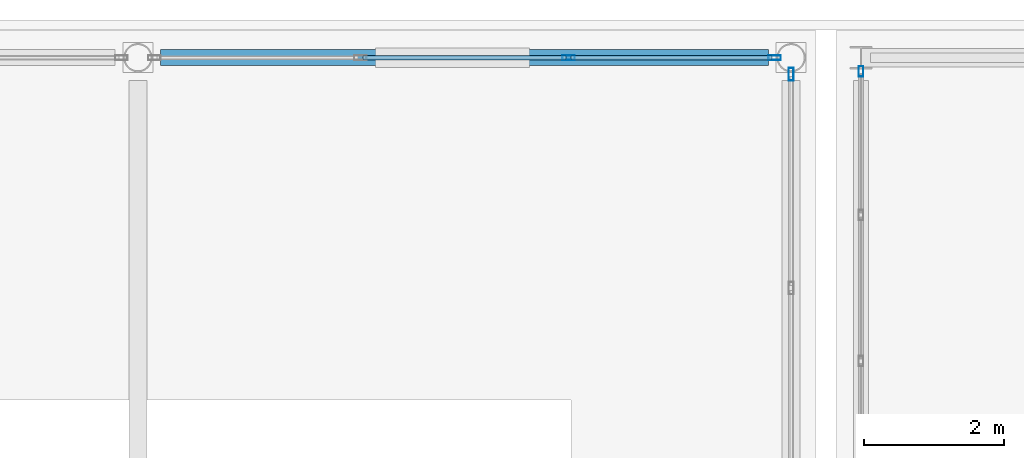
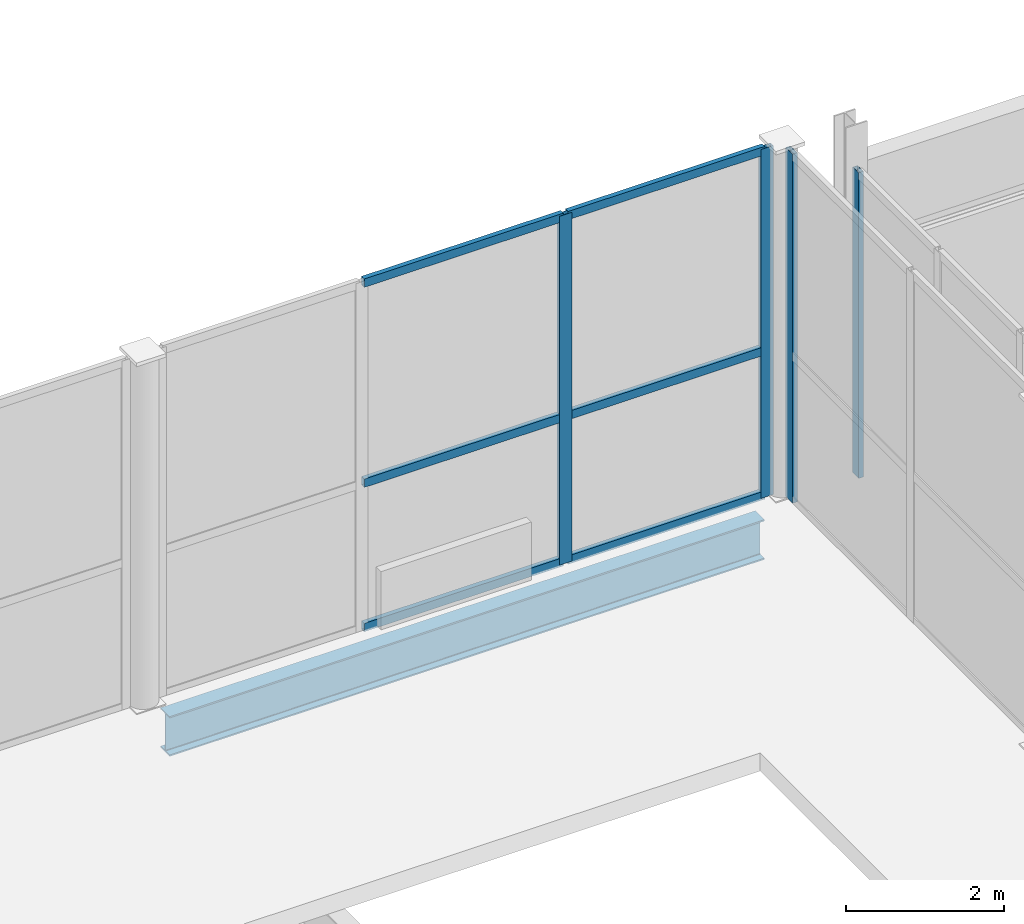
# One storey, part 54 of 83: 10 members, 1 beam, 3 elements without a shape of their own.
"""IFC4 building model written with IfcOpenShell, lengths in metres."""

from ifc_helpers import new_model, si_unit, direction, frame, origin, origin_2d, place, context, subcontext, project, spatial, hollow_rectangle, i_section, extrude, material, layer, layer_set, material_profile, profile_set, type_object, element, aggregate, save


model = new_model("IFC4")

# Units and contexts
model_context = context("Model", 3, precision=1e-05, world=origin(), true_north=direction((0.0, 1.0)))
body_context = subcontext(model_context, "Body", "Model", "MODEL_VIEW")
ifc_project = project(units=[si_unit("LENGTHUNIT", "METRE"), si_unit("AREAUNIT", "SQUARE_METRE"), si_unit("VOLUMEUNIT", "CUBIC_METRE"), si_unit("PLANEANGLEUNIT", "RADIAN"), si_unit("MASSUNIT", "GRAM", prefix="KILO")], contexts=[model_context])

# Site, building, storey
site_placement = place(None, origin())
site = spatial("IfcSite", under=ifc_project, at=site_placement, CompositionType="ELEMENT")
building_placement = place(site_placement, origin())
building = spatial("IfcBuilding", under=site, at=building_placement, Name="Quillay Park Conservatory", CompositionType="ELEMENT")
storey_placement = place(building_placement, origin())
storey = spatial("IfcBuildingStorey", under=building, at=storey_placement, Name="L00", CompositionType="ELEMENT", Elevation=0.0)

# Curtain wall, member
ifc_material_1 = material(Name="Thermally Broken Anodised Aluminium 6063-T6", Category="aluminium")
ifc_layer_1 = layer(ifc_material_1, 0.1650390625)
ifc_layer_set_1 = layer_set([ifc_layer_1], Name="UNITISED CURTAIN WALL PODIUM (Thermally Broken Anodised Aluminium 6063-T6)")
curtain_wall_type_1 = type_object("IfcCurtainWallType", Name="UNITISED CURTAIN WALL PODIUM", PredefinedType="USERDEFINED", material=ifc_layer_set_1)
curtain_wall_1_placement = place(storey_placement, origin())
curtain_wall_1 = element("IfcCurtainWall", 1, at=curtain_wall_1_placement, inside=storey, type_object=curtain_wall_type_1, Name="L00 Unitised Curtain Wall 227", ObjectType="UNITISED CURTAIN WALL", PredefinedType="USERDEFINED")
ifc_material_2 = material(Name="Thermally Broken Anodised Aluminium 6063-T6", Category="aluminium")
ifc_material_profile_1 = material_profile(ifc_material_2, hollow_rectangle(XDim=0.070068359375, YDim=0.14990234375, WallThickness=0.00341796875, at=origin_2d()), Name="AL70x150x3.5")
ifc_profile_set_1 = profile_set([ifc_material_profile_1], Name="Thermally Broken Anodised Aluminium 6063-T6")
member_type_1 = type_object("IfcMemberType", Name="CURTAIN WALL MULLION 70 X150", PredefinedType="MULLION", material=ifc_profile_set_1)
member_1_placement = place(storey_placement, frame((115.85009765625, 113.205078125, 0.0), z_axis=(0.0, 0.0, 1.0), x_axis=(-1.0, 0.0, 0.0)))
member_1 = element("IfcMember", 2, at=member_1_placement, type_object=member_type_1, Name="CW-P1 mullion 4", PredefinedType="MULLION", context=body_context, shape_type="SweptSolid", body=[
    extrude(hollow_rectangle(XDim=0.070068359375, YDim=0.14990234375, WallThickness=0.00341796875, at=origin_2d()), origin(), (0.0, 0.0, 1.0), 4.72900390625),
])
aggregate(curtain_wall_1, [member_1])

# Curtain wall, members
ifc_material_3 = material(Name="Thermally Broken Anodised Aluminium 6063-T6", Category="aluminium")
ifc_layer_2 = layer(ifc_material_3, 0.219970703125)
ifc_layer_set_2 = layer_set([ifc_layer_2], Name="UNITISED CURTAIN WALL CONSERVATORY (Thermally Broken Anodised Aluminium 6063-T6)")
curtain_wall_type_2 = type_object("IfcCurtainWallType", Name="UNITISED CURTAIN WALL CONSERVATORY", PredefinedType="USERDEFINED", material=ifc_layer_set_2)
curtain_wall_2_placement = place(storey_placement, origin())
curtain_wall_2 = element("IfcCurtainWall", 3, at=curtain_wall_2_placement, inside=storey, type_object=curtain_wall_type_2, Name="L00 Unitised Curtain Wall 161", ObjectType="UNITISED CURTAIN WALL", PredefinedType="USERDEFINED")
ifc_material_4 = material(Name="Thermally Broken Anodised Aluminium 6063-T6", Category="aluminium")
ifc_material_profile_2 = material_profile(ifc_material_4, hollow_rectangle(XDim=0.070068359375, YDim=0.179931640625, WallThickness=0.00390625, at=origin_2d()), Name="AL70x180x4")
ifc_profile_set_2 = profile_set([ifc_material_profile_2], Name="Thermally Broken Anodised Aluminium 6063-T6")
member_type_2 = type_object("IfcMemberType", Name="CURTAIN WALL MULLION 70 X180", PredefinedType="MULLION", material=ifc_profile_set_2)
member_2_placement = place(storey_placement, frame((111.6640625, 113.39990234375, 0.0), z_axis=(0.0, 0.0, 1.0), x_axis=(0.0, 1.0, 0.0)))
member_2 = element("IfcMember", 4, at=member_2_placement, type_object=member_type_2, Name="CW-C1 mullion 3", PredefinedType="MULLION", context=body_context, shape_type="SweptSolid", body=[
    extrude(hollow_rectangle(XDim=0.070068359375, YDim=0.179931640625, WallThickness=0.00390625, at=origin_2d()), origin(), (0.0, 0.0, 1.0), 5.39990234375),
])
member_3_placement = place(storey_placement, frame((114.613037109375, 113.39990234375, 0.0), z_axis=(0.0, 0.0, 1.0), x_axis=(0.0, 1.0, 0.0)))
member_3 = element("IfcMember", 5, at=member_3_placement, type_object=member_type_2, Name="CW-C1 mullion 4", PredefinedType="MULLION", context=body_context, shape_type="SweptSolid", body=[
    extrude(hollow_rectangle(XDim=0.070068359375, YDim=0.179931640625, WallThickness=0.00390625, at=origin_2d()), origin(), (0.0, 0.0, 1.0), 5.39990234375),
])

# Curtain wall, member
curtain_wall_3_placement = place(storey_placement, origin())
curtain_wall_3 = element("IfcCurtainWall", 6, at=curtain_wall_3_placement, inside=storey, type_object=curtain_wall_type_2, Name="L00 Unitised Curtain Wall 173", ObjectType="UNITISED CURTAIN WALL", PredefinedType="USERDEFINED")
member_4_placement = place(storey_placement, frame((114.85009765625, 113.1630859375, 0.0), z_axis=(0.0, 0.0, 1.0), x_axis=(1.0, 0.0, 0.0)))
member_4 = element("IfcMember", 7, at=member_4_placement, type_object=member_type_2, Name="CW-C1 mullion 1", PredefinedType="MULLION", context=body_context, shape_type="SweptSolid", body=[
    extrude(hollow_rectangle(XDim=0.070068359375, YDim=0.179931640625, WallThickness=0.00390625, at=origin_2d()), origin(), (0.0, 0.0, 1.0), 5.39990234375),
])
aggregate(curtain_wall_3, [member_4])

# Member
ifc_material_5 = material(Name="Thermally Broken Anodised Aluminium 6063-T6", Category="aluminium")
ifc_material_profile_3 = material_profile(ifc_material_5, hollow_rectangle(XDim=0.070068359375, YDim=0.1298828125, WallThickness=0.003173828125, at=origin_2d()), Name="AL70x130x3.2")
ifc_profile_set_3 = profile_set([ifc_material_profile_3], Name="Thermally Broken Anodised Aluminium 6063-T6")
member_type_3 = type_object("IfcMemberType", Name="CURTAIN WALL TRANSOM 70 X130", PredefinedType="USERDEFINED", material=ifc_profile_set_3)
member_5_placement = place(storey_placement, frame((108.71533203125, 113.39990234375, 0.034912109375), z_axis=(1.0, 0.0, 0.0), x_axis=(0.0, 1.0, 0.0)))
member_5 = element("IfcMember", 8, at=member_5_placement, type_object=member_type_3, Name="CW-C1 transom 2.1", ObjectType="TRANSOM", PredefinedType="USERDEFINED", context=body_context, shape_type="SweptSolid", body=[
    extrude(hollow_rectangle(XDim=0.070068359375, YDim=0.1298828125, WallThickness=0.003173828125, at=origin_2d()), origin(), (0.0, 0.0, 1.0), 2.913818359375),
])

member_6_placement = place(storey_placement, frame((108.71533203125, 113.39990234375, 2.26806640625), z_axis=(1.0, 0.0, 0.0), x_axis=(0.0, 1.0, 0.0)))
member_6 = element("IfcMember", 9, at=member_6_placement, type_object=member_type_3, Name="CW-C1 transom 2.2", ObjectType="TRANSOM", PredefinedType="USERDEFINED", context=body_context, shape_type="SweptSolid", body=[
    extrude(hollow_rectangle(XDim=0.070068359375, YDim=0.1298828125, WallThickness=0.003173828125, at=origin_2d()), origin(), (0.0, 0.0, 1.0), 2.913818359375),
])

member_7_placement = place(storey_placement, frame((108.71533203125, 113.39990234375, 5.364990234375), z_axis=(1.0, 0.0, 0.0), x_axis=(0.0, 1.0, 0.0)))
member_7 = element("IfcMember", 10, at=member_7_placement, type_object=member_type_3, Name="CW-C1 transom 2.3", ObjectType="TRANSOM", PredefinedType="USERDEFINED", context=body_context, shape_type="SweptSolid", body=[
    extrude(hollow_rectangle(XDim=0.070068359375, YDim=0.1298828125, WallThickness=0.003173828125, at=origin_2d()), origin(), (0.0, 0.0, 1.0), 2.913818359375),
])

member_8_placement = place(storey_placement, frame((111.69921875, 113.39990234375, 0.034912109375), z_axis=(1.0, 0.0, 0.0), x_axis=(0.0, 1.0, 0.0)))
member_8 = element("IfcMember", 11, at=member_8_placement, type_object=member_type_3, Name="CW-C1 transom 3.1", ObjectType="TRANSOM", PredefinedType="USERDEFINED", context=body_context, shape_type="SweptSolid", body=[
    extrude(hollow_rectangle(XDim=0.070068359375, YDim=0.1298828125, WallThickness=0.003173828125, at=origin_2d()), origin(), (0.0, 0.0, 1.0), 2.878662109375),
])

member_9_placement = place(storey_placement, frame((111.69921875, 113.39990234375, 2.26806640625), z_axis=(1.0, 0.0, 0.0), x_axis=(0.0, 1.0, 0.0)))
member_9 = element("IfcMember", 12, at=member_9_placement, type_object=member_type_3, Name="CW-C1 transom 3.2", ObjectType="TRANSOM", PredefinedType="USERDEFINED", context=body_context, shape_type="SweptSolid", body=[
    extrude(hollow_rectangle(XDim=0.070068359375, YDim=0.1298828125, WallThickness=0.003173828125, at=origin_2d()), origin(), (0.0, 0.0, 1.0), 2.878662109375),
])

member_10_placement = place(storey_placement, frame((111.69921875, 113.39990234375, 5.364990234375), z_axis=(1.0, 0.0, 0.0), x_axis=(0.0, 1.0, 0.0)))
member_10 = element("IfcMember", 13, at=member_10_placement, type_object=member_type_3, Name="CW-C1 transom 3.3", ObjectType="TRANSOM", PredefinedType="USERDEFINED", context=body_context, shape_type="SweptSolid", body=[
    extrude(hollow_rectangle(XDim=0.070068359375, YDim=0.1298828125, WallThickness=0.003173828125, at=origin_2d()), origin(), (0.0, 0.0, 1.0), 2.878662109375),
])

aggregate(curtain_wall_2, [member_2, member_3, member_5, member_6, member_7, member_8, member_9, member_10])

# Beam
ifc_material_6 = material(Name="Steel ASTM A992 Grade 50", Category="steel")
ifc_material_profile_4 = material_profile(ifc_material_6, i_section(OverallWidth=0.22998046875, OverallDepth=0.616943359375, WebThickness=0.01318359375, FlangeThickness=0.022216796875, FilletRadius=0.014892578125, at=origin_2d()), Name="W610x140")
ifc_profile_set_4 = profile_set([ifc_material_profile_4], Name="Steel ASTM A992 Grade 50")
beam_type = type_object("IfcBeamType", Name="PRIMARY FLOOR GIRDER W610 X140", PredefinedType="BEAM", material=ifc_profile_set_4)
beam_placement = place(storey_placement, frame((105.8193359375, 113.39990234375, -0.58837890625), z_axis=(1.0, 0.0, 0.0), x_axis=(0.0, 1.0, 0.0)))
element("IfcBeam", 14, at=beam_placement, inside=storey, type_object=beam_type, Name="L00 beam BM-V1L0-1628", PredefinedType="BEAM", context=body_context, shape_type="SweptSolid", body=[
    extrude(i_section(OverallWidth=0.22998046875, OverallDepth=0.616943359375, WebThickness=0.01318359375, FlangeThickness=0.022216796875, FilletRadius=0.014892578125, at=origin_2d()), origin(), (0.0, 0.0, 1.0), 8.70556640625),
])

save(model, "model.ifc")
